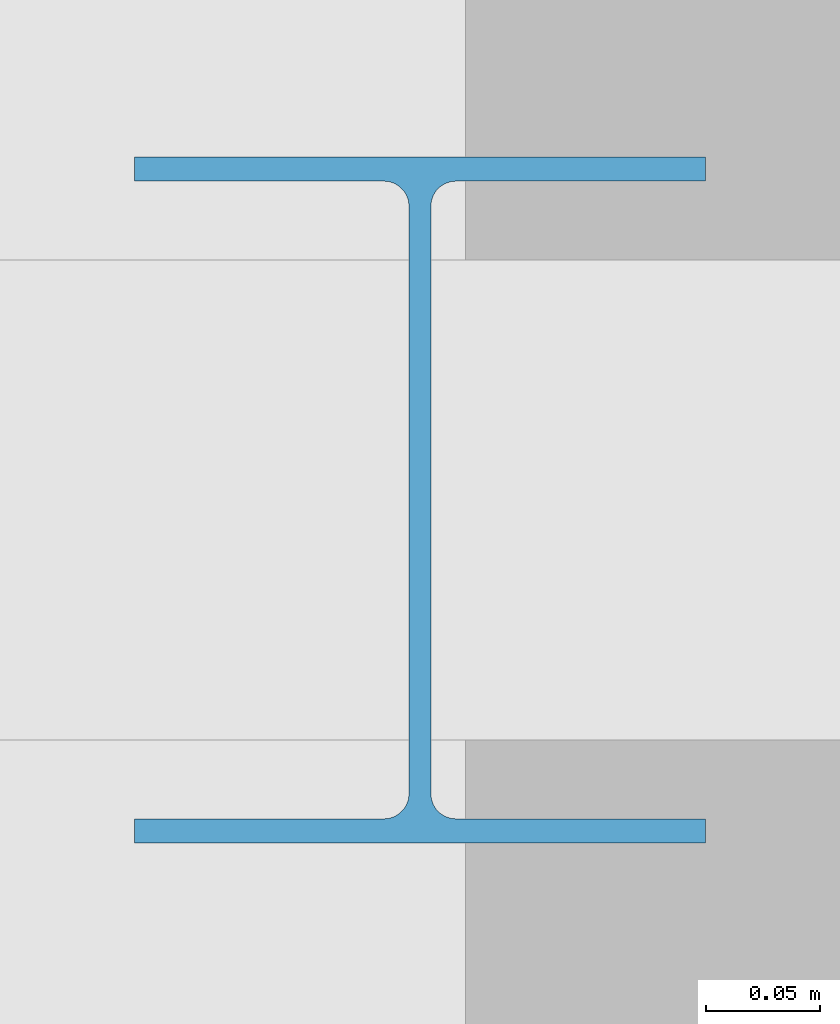
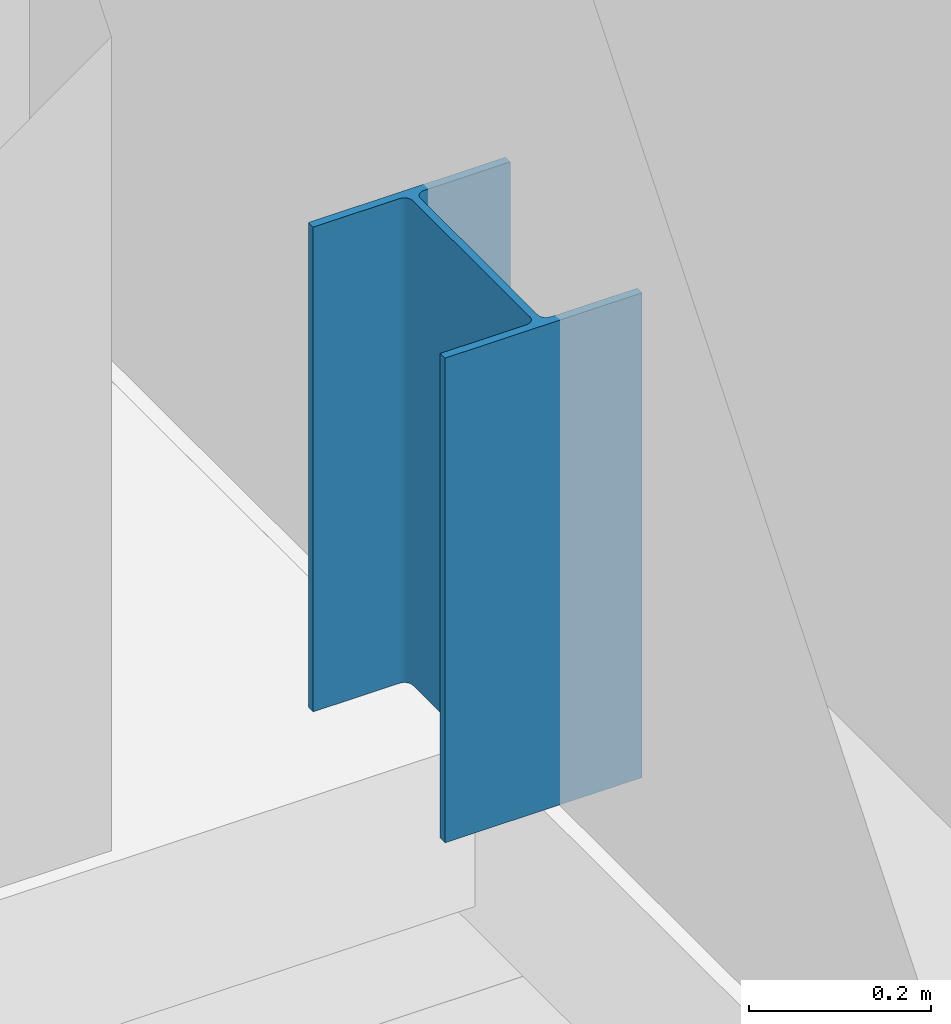
# One storey, part 46 of 85: 1 member.
"""IFC4 building model written with IfcOpenShell, lengths in metres."""

from ifc_helpers import new_model, si_unit, derived_unit, direction, frame, origin, origin_2d, place, context, subcontext, project, spatial, i_section, extrude, material, material_profile, profile_set, type_object, element, save


model = new_model("IFC4")

# Units and contexts
model_context = context("Model", 3, precision=1e-05, world=origin(), true_north=direction((0.0, 1.0)))
body_context = subcontext(model_context, "Body", "Model", "MODEL_VIEW")
ifc_project = project(units=[si_unit("LENGTHUNIT", "METRE"), si_unit("AREAUNIT", "SQUARE_METRE"), si_unit("VOLUMEUNIT", "CUBIC_METRE"), si_unit("PLANEANGLEUNIT", "RADIAN"), si_unit("MASSUNIT", "GRAM", prefix="KILO"), derived_unit("THERMALTRANSMITTANCEUNIT", [(si_unit("POWERUNIT", "WATT"), 1), (si_unit("LENGTHUNIT", "METRE"), -2), (si_unit("THERMODYNAMICTEMPERATUREUNIT", "KELVIN"), -1)])], contexts=[model_context])

# Site, building, storey
site_placement = place(None, origin())
site = spatial("IfcSite", under=ifc_project, at=site_placement, CompositionType="ELEMENT")
building_placement = place(site_placement, origin())
building = spatial("IfcBuilding", under=site, at=building_placement, Name="Nallur Shell Playhouse", CompositionType="ELEMENT")
storey_placement = place(building_placement, frame((0.0, 0.0, 19.800048828125)))
storey = spatial("IfcBuildingStorey", under=building, at=storey_placement, Name="L05", CompositionType="ELEMENT", Elevation=19.800048828125)

# Member
ifc_material = material(Name="Steel E350", Category="steel")
ifc_material_profile = material_profile(ifc_material, i_section(OverallWidth=0.25, OverallDepth=0.300048828125, WebThickness=0.009521484375, FlangeThickness=0.010498046875, FilletRadius=0.010986328125, at=origin_2d()), Name="ISHB 300")
ifc_profile_set = profile_set([ifc_material_profile], Name="Steel E350")
member_type = type_object("IfcMemberType", Name="MB-FASCIA-POST", PredefinedType="POST", material=ifc_profile_set)
member_placement = place(storey_placement, frame((64.0, 16.0, 0.0), z_axis=(0.0, 0.0, 1.0), x_axis=(1.0, 0.0, 0.0)))
element("IfcMember", 1, at=member_placement, inside=storey, type_object=member_type, Name="Cantilever truss fascia post POST-GB-L05-12", PredefinedType="POST", context=body_context, shape_type="SweptSolid", body=[
    extrude(i_section(OverallWidth=0.25, OverallDepth=0.300048828125, WebThickness=0.009521484375, FlangeThickness=0.010498046875, FilletRadius=0.010986328125, at=origin_2d()), origin(), (0.0, 0.0, 1.0), 0.64990234375),
])

save(model, "model.ifc")
